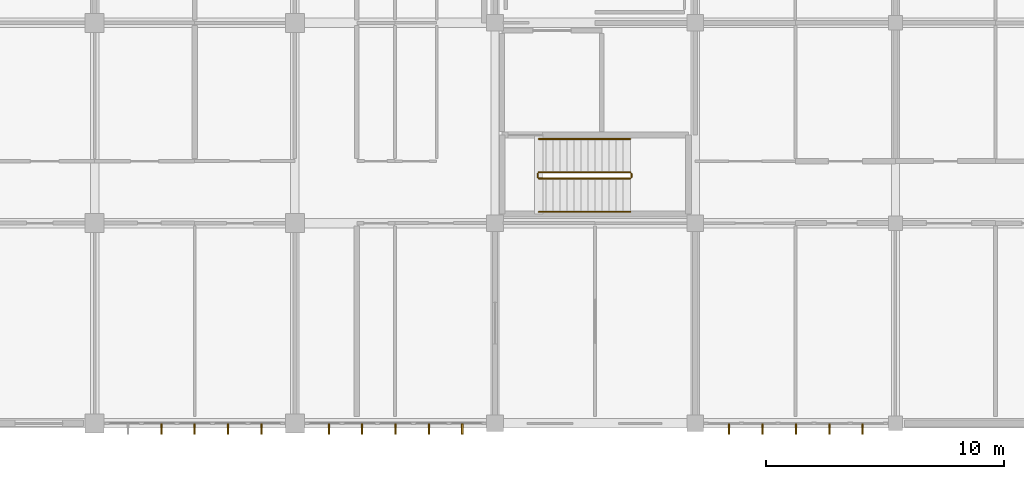
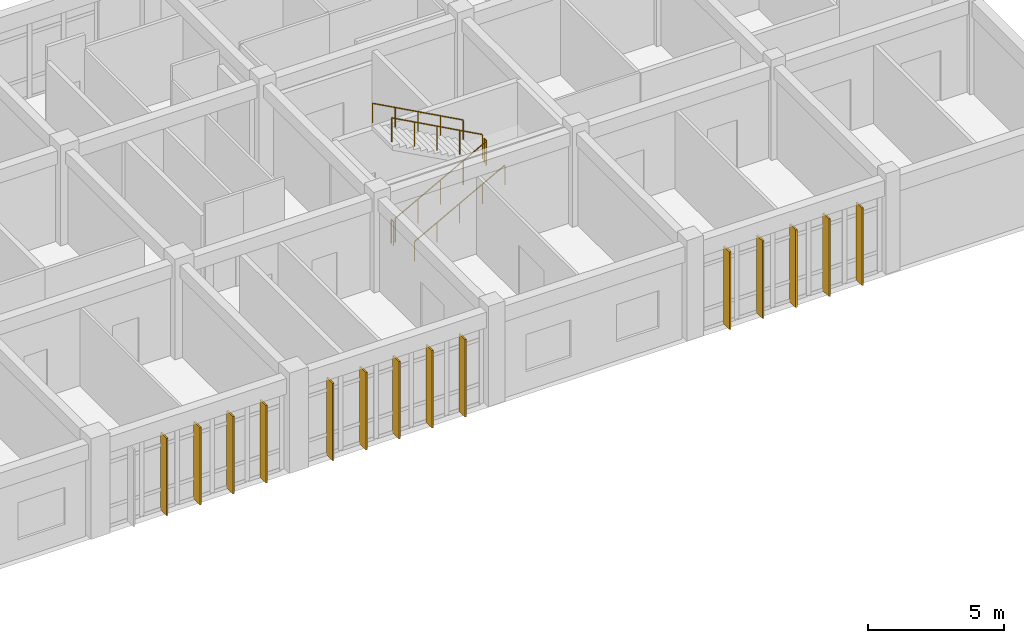
# One storey, part 139 of 144: 14 shading devices, 6 railings.
"""IFC4 building model written with IfcOpenShell, lengths in metres."""

from ifc_helpers import new_model, si_unit, direction, frame, origin, origin_2d, place, context, subcontext, project, spatial, rectangle, circle, extrude, material, material_profile, profile_set, type_object, element, save


model = new_model("IFC4")

# Units and contexts
model_context = context("Model", 3, precision=1e-05, world=origin(), true_north=direction((0.0, 1.0)))
body_context = subcontext(model_context, "Body", "Model", "MODEL_VIEW")
ifc_project = project(units=[si_unit("LENGTHUNIT", "METRE"), si_unit("AREAUNIT", "SQUARE_METRE"), si_unit("VOLUMEUNIT", "CUBIC_METRE"), si_unit("PLANEANGLEUNIT", "RADIAN"), si_unit("MASSUNIT", "GRAM", prefix="KILO")], contexts=[model_context])

# Site, building, storey
site_placement = place(None, origin())
site = spatial("IfcSite", under=ifc_project, at=site_placement, CompositionType="ELEMENT")
building_placement = place(site_placement, origin())
building = spatial("IfcBuilding", under=site, at=building_placement, Name="Bramfleet General Hospital", CompositionType="ELEMENT")
storey_placement = place(building_placement, frame((0.0, 0.0, 4.800048828125)))
storey = spatial("IfcBuildingStorey", under=building, at=storey_placement, Name="L01", CompositionType="ELEMENT", Elevation=4.800048828125)

# Railings
ifc_material_1 = material(Name="Powder-coated steel stair balustrade", Category="steel")
railing_type_1 = type_object("IfcRailingType", Name="RAIL-ST-GUARD", PredefinedType="GUARDRAIL", material=ifc_material_1)
railing_1_placement = place(storey_placement, frame((144.639892578125, 10.27001953125, 0.16064453125)))
element("IfcRailing", 1, at=railing_1_placement, inside=storey, type_object=railing_type_1, Name="L01 ST-C10 stair guard 1", PredefinedType="GUARDRAIL", context=body_context, shape_type="SweptSolid", body=[
    extrude(circle(Radius=0.02392578125, at=origin_2d()), frame((0.0, 0.0, 1.076171875), z_axis=(0.878143269688, 0.0, 0.478397740276), x_axis=(0.0, 1.0, 0.0)), (0.0, 0.0, 1.0), 4.367431640625),
    extrude(circle(Radius=0.02099609375, at=origin_2d()), origin(), (0.0, 0.0, 1.0), 1.052001953125),
    extrude(circle(Radius=0.02099609375, at=origin_2d()), frame((0.958740234375, 0.0, 0.5224609375)), (0.0, 0.0, 1.0), 1.052001953125),
    extrude(circle(Radius=0.02099609375, at=origin_2d()), frame((1.91748046875, 0.0, 1.044677734375)), (0.0, 0.0, 1.0), 1.052001953125),
    extrude(circle(Radius=0.02099609375, at=origin_2d()), frame((2.87646484375, 0.0, 1.56689453125)), (0.0, 0.0, 1.0), 1.052001953125),
    extrude(circle(Radius=0.02099609375, at=origin_2d()), frame((3.835205078125, 0.0, 2.08935546875)), (0.0, 0.0, 1.0), 1.052001953125),
])
railing_2_placement = place(storey_placement, frame((148.52490234375, 10.320068359375, 2.25)))
element("IfcRailing", 2, at=railing_2_placement, inside=storey, type_object=railing_type_1, Name="L01 ST-C10 stair guard 2", PredefinedType="GUARDRAIL", context=body_context, shape_type="SweptSolid", body=[
    extrude(circle(Radius=0.02392578125, at=origin_2d()), frame((0.0, 0.0, 1.076171875), z_axis=(0.0, 1.0, 0.0), x_axis=(-1.0, 0.0, 0.0)), (0.0, 0.0, 1.0), 0.159912109375),
    extrude(circle(Radius=0.02099609375, at=origin_2d()), origin(), (0.0, 0.0, 1.0), 1.052001953125),
    extrude(circle(Radius=0.02099609375, at=origin_2d()), frame((0.0, 0.159912109375, 0.0)), (0.0, 0.0, 1.0), 1.052001953125),
])
railing_3_placement = place(storey_placement, frame((148.47509765625, 10.530029296875, 2.41064453125)))
element("IfcRailing", 3, at=railing_3_placement, inside=storey, type_object=railing_type_1, Name="L01 ST-C10 stair guard 3", PredefinedType="GUARDRAIL", context=body_context, shape_type="SweptSolid", body=[
    extrude(circle(Radius=0.02392578125, at=origin_2d()), frame((0.0, 0.0, 1.076171875), z_axis=(-0.878143269688, 0.0, 0.478397740276), x_axis=(0.0, -1.0, 0.0)), (0.0, 0.0, 1.0), 4.367431640625),
    extrude(circle(Radius=0.02099609375, at=origin_2d()), origin(), (0.0, 0.0, 1.0), 1.052001953125),
    extrude(circle(Radius=0.02099609375, at=origin_2d()), frame((-0.958740234375, 0.0, 0.5224609375)), (0.0, 0.0, 1.0), 1.052001953125),
    extrude(circle(Radius=0.02099609375, at=origin_2d()), frame((-1.91748046875, 0.0, 1.044677734375)), (0.0, 0.0, 1.0), 1.052001953125),
    extrude(circle(Radius=0.02099609375, at=origin_2d()), frame((-2.87646484375, 0.0, 1.56689453125)), (0.0, 0.0, 1.0), 1.052001953125),
    extrude(circle(Radius=0.02099609375, at=origin_2d()), frame((-3.835205078125, 0.0, 2.08935546875)), (0.0, 0.0, 1.0), 1.052001953125),
])
railing_4_placement = place(storey_placement, frame((144.590087890625, 10.320068359375, 0.0)))
element("IfcRailing", 4, at=railing_4_placement, inside=storey, type_object=railing_type_1, Name="L01 ST-C10 stair guard 4", PredefinedType="GUARDRAIL", context=body_context, shape_type="SweptSolid", body=[
    extrude(circle(Radius=0.02392578125, at=origin_2d()), frame((0.0, 0.0, 1.076171875), z_axis=(0.0, 1.0, 0.0), x_axis=(-1.0, 0.0, 0.0)), (0.0, 0.0, 1.0), 0.159912109375),
    extrude(circle(Radius=0.02099609375, at=origin_2d()), origin(), (0.0, 0.0, 1.0), 1.052001953125),
    extrude(circle(Radius=0.02099609375, at=origin_2d()), frame((0.0, 0.159912109375, 0.0)), (0.0, 0.0, 1.0), 1.052001953125),
])
ifc_material_2 = material(Name="Stainless steel 1.4301 stair handrail", Category="steel")
railing_type_2 = type_object("IfcRailingType", Name="RAIL-ST-HND", PredefinedType="HANDRAIL", material=ifc_material_2)
railing_5_placement = place(storey_placement, frame((144.639892578125, 8.8701171875, 0.16064453125)))
element("IfcRailing", 5, at=railing_5_placement, inside=storey, type_object=railing_type_2, Name="L01 ST-C10 stair handrail 1", PredefinedType="HANDRAIL", context=body_context, shape_type="SweptSolid", body=[
    extrude(circle(Radius=0.02392578125, at=origin_2d()), frame((0.0, 0.0, 0.8759765625), z_axis=(0.878143269688, 0.0, 0.478397740276), x_axis=(0.0, 1.0, 0.0)), (0.0, 0.0, 1.0), 4.367431640625),
    extrude(circle(Radius=0.02099609375, at=origin_2d()), origin(), (0.0, 0.0, 1.0), 0.851806640625),
    extrude(circle(Radius=0.02099609375, at=origin_2d()), frame((0.958740234375, 0.0, 0.5224609375)), (0.0, 0.0, 1.0), 0.851806640625),
    extrude(circle(Radius=0.02099609375, at=origin_2d()), frame((1.91748046875, 0.0, 1.044677734375)), (0.0, 0.0, 1.0), 0.851806640625),
    extrude(circle(Radius=0.02099609375, at=origin_2d()), frame((2.87646484375, 0.0, 1.56689453125)), (0.0, 0.0, 1.0), 0.851806640625),
    extrude(circle(Radius=0.02099609375, at=origin_2d()), frame((3.835205078125, 0.0, 2.08935546875)), (0.0, 0.0, 1.0), 0.851806640625),
])
railing_6_placement = place(storey_placement, frame((148.47509765625, 11.929931640625, 2.41064453125)))
element("IfcRailing", 6, at=railing_6_placement, inside=storey, type_object=railing_type_2, Name="L01 ST-C10 stair handrail 2", PredefinedType="HANDRAIL", context=body_context, shape_type="SweptSolid", body=[
    extrude(circle(Radius=0.02392578125, at=origin_2d()), frame((0.0, 0.0, 0.8759765625), z_axis=(-0.878143269688, 0.0, 0.478397740276), x_axis=(0.0, -1.0, 0.0)), (0.0, 0.0, 1.0), 4.367431640625),
    extrude(circle(Radius=0.02099609375, at=origin_2d()), origin(), (0.0, 0.0, 1.0), 0.851806640625),
    extrude(circle(Radius=0.02099609375, at=origin_2d()), frame((-0.958740234375, 0.0, 0.5224609375)), (0.0, 0.0, 1.0), 0.851806640625),
    extrude(circle(Radius=0.02099609375, at=origin_2d()), frame((-1.91748046875, 0.0, 1.044677734375)), (0.0, 0.0, 1.0), 0.851806640625),
    extrude(circle(Radius=0.02099609375, at=origin_2d()), frame((-2.87646484375, 0.0, 1.56689453125)), (0.0, 0.0, 1.0), 0.851806640625),
    extrude(circle(Radius=0.02099609375, at=origin_2d()), frame((-3.835205078125, 0.0, 2.08935546875)), (0.0, 0.0, 1.0), 0.851806640625),
])

# Shading devices
ifc_material_3 = material(Name="Treated European larch timber", Category="wood")
ifc_material_profile = material_profile(ifc_material_3, rectangle(XDim=0.06494140625, YDim=0.449951171875, at=origin_2d()), Name="LARCH FIN 450x65")
ifc_profile_set = profile_set([ifc_material_profile], Name="Treated European larch timber")
shading_device_type = type_object("IfcShadingDeviceType", Name="SHD-FIN-450", PredefinedType="USERDEFINED", material=ifc_profile_set)
for number, where, z_axis, x_axis, name in (
    (7, (158.22509765625, -0.239990234375, -0.02001953125), (0.0, 0.0, 1.0), (-1.0, 0.0, 0.0), "L01 Larch Timber Shading Fin 276"),
    (8, (156.824951171875, -0.239990234375, -0.02001953125), (0.0, 0.0, 1.0), (-1.0, 0.0, 0.0), "L01 Larch Timber Shading Fin 277"),
    (9, (155.425048828125, -0.239990234375, -0.02001953125), (0.0, 0.0, 1.0), (-1.0, 0.0, 0.0), "L01 Larch Timber Shading Fin 278"),
    (10, (154.02490234375, -0.239990234375, -0.02001953125), (0.0, 0.0, 1.0), (-1.0, 0.0, 0.0), "L01 Larch Timber Shading Fin 279"),
    (11, (152.625, -0.239990234375, -0.02001953125), (0.0, 0.0, 1.0), (-1.0, 0.0, 0.0), "L01 Larch Timber Shading Fin 280"),
    (12, (141.425048828125, -0.239990234375, -0.02001953125), (0.0, 0.0, 1.0), (-1.0, 0.0, 0.0), "L01 Larch Timber Shading Fin 281"),
    (13, (140.02490234375, -0.239990234375, -0.02001953125), (0.0, 0.0, 1.0), (-1.0, 0.0, 0.0), "L01 Larch Timber Shading Fin 282"),
    (14, (138.625, -0.239990234375, -0.02001953125), (0.0, 0.0, 1.0), (-1.0, 0.0, 0.0), "L01 Larch Timber Shading Fin 283"),
    (15, (137.22509765625, -0.239990234375, -0.02001953125), (0.0, 0.0, 1.0), (-1.0, 0.0, 0.0), "L01 Larch Timber Shading Fin 284"),
    (16, (135.824951171875, -0.239990234375, -0.02001953125), (0.0, 0.0, 1.0), (-1.0, 0.0, 0.0), "L01 Larch Timber Shading Fin 285"),
    (17, (133.0, -0.239990234375, -0.02001953125), (0.0, 0.0, 1.0), (-1.0, 0.0, 0.0), "L01 Larch Timber Shading Fin 286"),
    (18, (131.60009765625, -0.239990234375, -0.02001953125), (0.0, 0.0, 1.0), (-1.0, 0.0, 0.0), "L01 Larch Timber Shading Fin 287"),
    (19, (130.199951171875, -0.239990234375, -0.02001953125), (0.0, 0.0, 1.0), (-1.0, 0.0, 0.0), "L01 Larch Timber Shading Fin 288"),
    (20, (128.800048828125, -0.239990234375, -0.02001953125), (0.0, 0.0, 1.0), (-1.0, 0.0, 0.0), "L01 Larch Timber Shading Fin 289"),
):
    element("IfcShadingDevice", number, at=place(storey_placement, frame(where, z_axis=z_axis, x_axis=x_axis)), inside=storey, type_object=shading_device_type, Name=name, ObjectType="Fin", PredefinedType="USERDEFINED", context=body_context, shape_type="SweptSolid", body=[
        extrude(rectangle(XDim=0.06494140625, YDim=0.449951171875, at=origin_2d()), origin(), (0.0, 0.0, 1.0), 3.469970703125),
    ])

save(model, "model.ifc")
